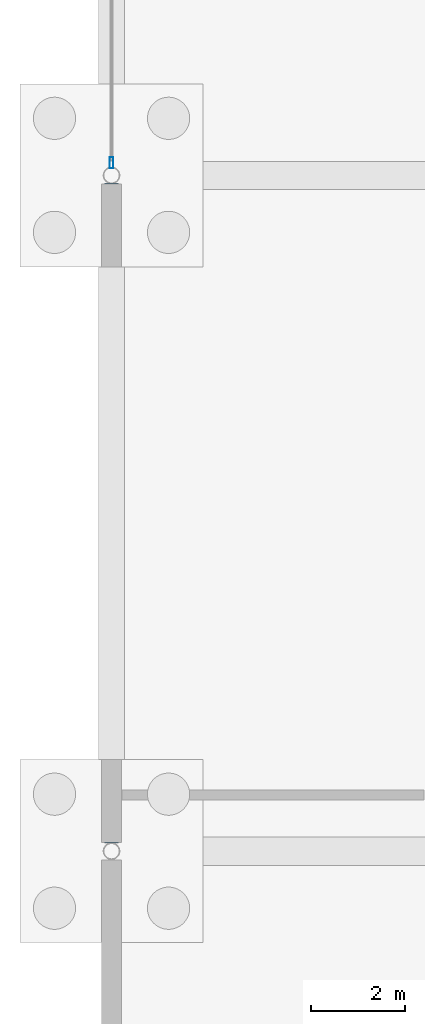
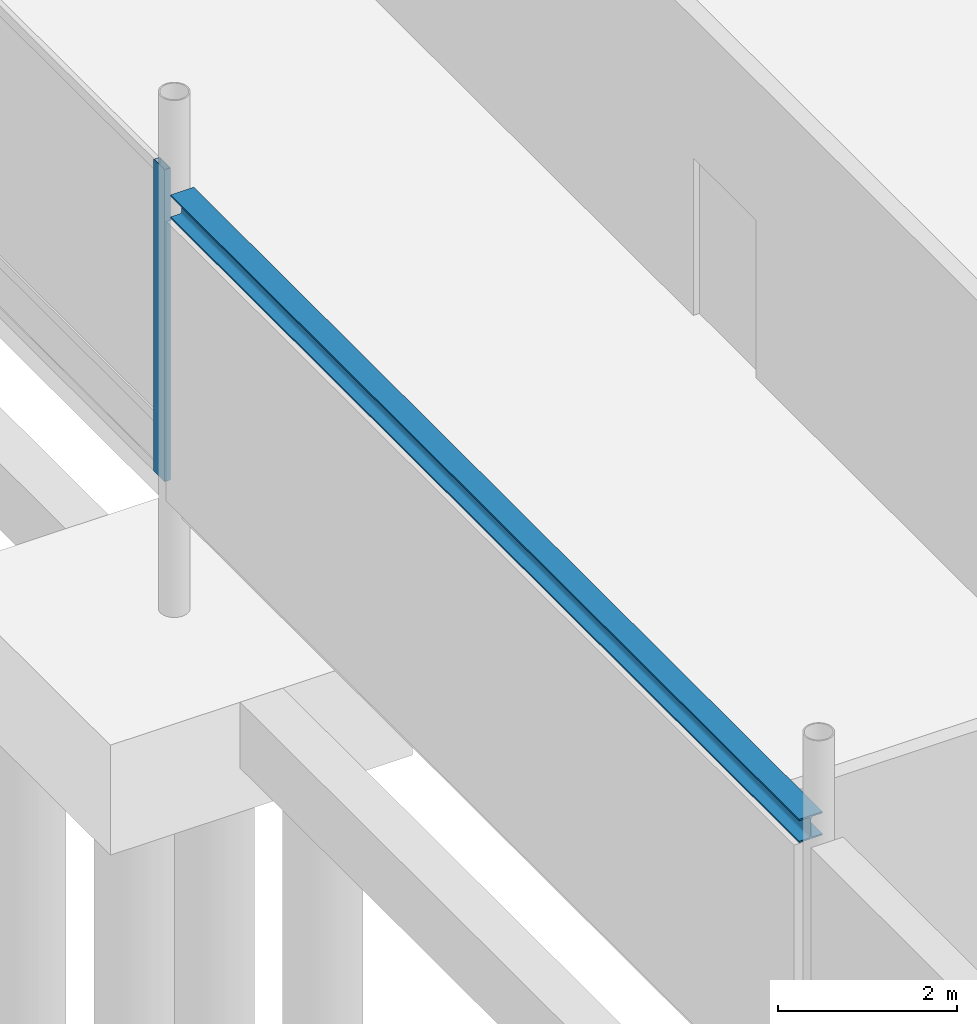
# One storey, part 61 of 192: 1 beam, 1 member, 1 element without a shape of its own.
"""IFC4 building model written with IfcOpenShell, lengths in metres."""

from ifc_helpers import new_model, si_unit, direction, frame, origin, origin_2d, place, context, subcontext, project, spatial, hollow_rectangle, i_section, extrude, material, material_profile, profile_set, type_object, element, aggregate, save


model = new_model("IFC4")

# Units and contexts
model_context = context("Model", 3, precision=1e-05, world=origin(), true_north=direction((0.0, 1.0)))
body_context = subcontext(model_context, "Body", "Model", "MODEL_VIEW")
ifc_project = project(units=[si_unit("LENGTHUNIT", "METRE"), si_unit("AREAUNIT", "SQUARE_METRE"), si_unit("VOLUMEUNIT", "CUBIC_METRE"), si_unit("PLANEANGLEUNIT", "RADIAN"), si_unit("MASSUNIT", "GRAM", prefix="KILO")], contexts=[model_context])

# Site, building, storey
site_placement = place(None, origin())
site = spatial("IfcSite", under=ifc_project, at=site_placement, CompositionType="ELEMENT")
building_placement = place(site_placement, origin())
building = spatial("IfcBuilding", under=site, at=building_placement, Name="Cendralis Lancet Convention Centre", CompositionType="ELEMENT")
storey_placement = place(building_placement, origin())
storey = spatial("IfcBuildingStorey", under=building, at=storey_placement, Name="L00", CompositionType="ELEMENT", Elevation=0.0)

# Curtain wall, member
ifc_material_1 = material(Name="Anodised bronze architectural aluminium", Category="aluminium")
curtain_wall_type = type_object("IfcCurtainWallType", Name="ARC-CW-GB01", PredefinedType="USERDEFINED", material=ifc_material_1)
curtain_wall_placement = place(storey_placement, origin())
curtain_wall = element("IfcCurtainWall", 1, at=curtain_wall_placement, inside=storey, type_object=curtain_wall_type, Name="L00 Curtain Wall CW-GB1 #093", ObjectType="CURTAIN WALL", PredefinedType="USERDEFINED")
ifc_material_profile_1 = material_profile(ifc_material_1, hollow_rectangle(XDim=0.080078125, YDim=0.239990234375, WallThickness=0.0048828125, at=origin_2d()), Name="AL-MULL 80x240x5.0")
ifc_profile_set_1 = profile_set([ifc_material_profile_1], Name="Anodised bronze architectural aluminium")
member_type = type_object("IfcMemberType", Name="ARC-CW-ML03", PredefinedType="MULLION", material=ifc_profile_set_1)
member_placement = place(storey_placement, frame((0.0, 79.4677734375, 0.0), z_axis=(0.0, 0.0, 1.0), x_axis=(1.0, 0.0, 0.0)))
member = element("IfcMember", 2, at=member_placement, type_object=member_type, Name="Mullion CW2-CW-GB1-L00-093-M0", PredefinedType="MULLION", context=body_context, shape_type="SweptSolid", body=[
    extrude(hollow_rectangle(XDim=0.080078125, YDim=0.239990234375, WallThickness=0.0048828125, at=origin_2d()), origin(), (0.0, 0.0, 1.0), 4.2548828125),
])
aggregate(curtain_wall, [member])

# Beam
ifc_material_2 = material(Name="Steel S355", Category="steel")
ifc_material_profile_2 = material_profile(ifc_material_2, i_section(OverallWidth=0.300048828125, OverallDepth=0.320068359375, WebThickness=0.011474609375, FlangeThickness=0.0205078125, FilletRadius=0.027099609375, at=origin_2d()), Name="HEB 320")
ifc_profile_set_2 = profile_set([ifc_material_profile_2], Name="Steel S355")
beam_type = type_object("IfcBeamType", Name="STR-LN-LN02", PredefinedType="LINTEL", material=ifc_profile_set_2)
beam_placement = place(storey_placement, frame((0.0, 64.977783203125, 3.989990234375), z_axis=(0.0, 1.0, 0.0), x_axis=(-1.0, 0.0, 0.0)))
element("IfcBeam", 3, at=beam_placement, inside=storey, type_object=beam_type, Name="L00 Beam LN02 #1302", PredefinedType="LINTEL", context=body_context, shape_type="SweptSolid", body=[
    extrude(i_section(OverallWidth=0.300048828125, OverallDepth=0.320068359375, WebThickness=0.011474609375, FlangeThickness=0.0205078125, FilletRadius=0.027099609375, at=origin_2d()), origin(), (0.0, 0.0, 1.0), 14.04443359375),
])

save(model, "model.ifc")
